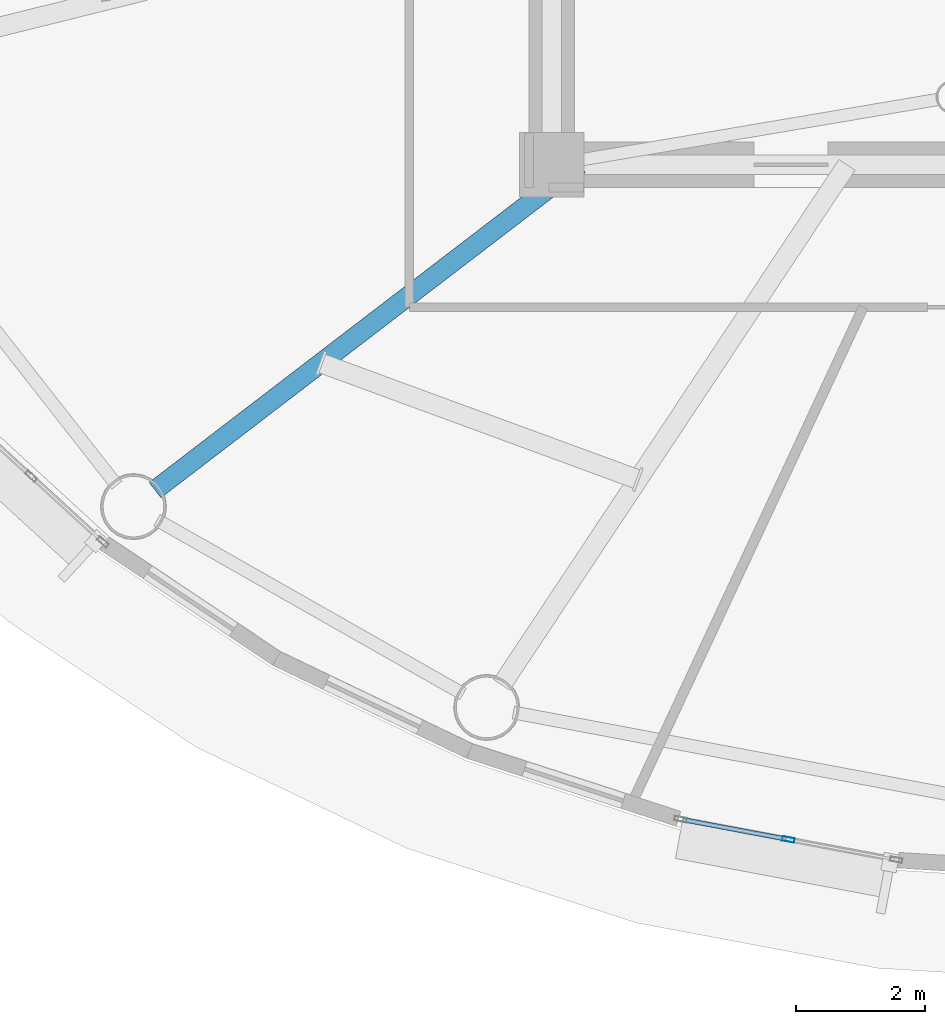
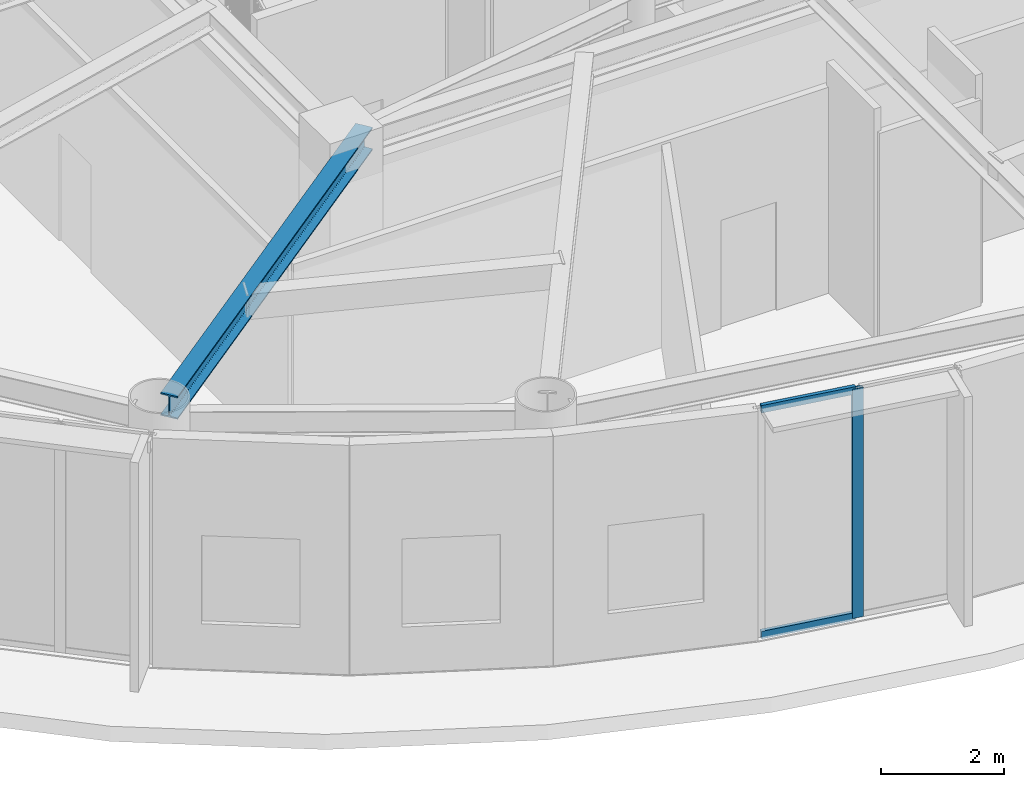
# One storey, part 6 of 32: 3 members, 1 beam, 1 element without a shape of its own.
"""IFC4 building model written with IfcOpenShell, lengths in metres."""

from ifc_helpers import new_model, si_unit, direction, frame, origin, origin_2d, place, context, subcontext, project, spatial, hollow_rectangle, i_section, extrude, source, transform, mapped, material, layer, layer_set, material_profile, profile_set, type_object, element, aggregate, save


model = new_model("IFC4")

# Units and contexts
model_context = context("Model", 3, precision=1e-05, world=origin(), true_north=direction((0.0, 1.0)))
body_context = subcontext(model_context, "Body", "Model", "MODEL_VIEW")
ifc_project = project(units=[si_unit("LENGTHUNIT", "METRE"), si_unit("AREAUNIT", "SQUARE_METRE"), si_unit("VOLUMEUNIT", "CUBIC_METRE"), si_unit("PLANEANGLEUNIT", "RADIAN"), si_unit("MASSUNIT", "GRAM", prefix="KILO")], contexts=[model_context])

# Site, building, storey
site_placement = place(None, origin())
site = spatial("IfcSite", under=ifc_project, at=site_placement, CompositionType="ELEMENT")
building_placement = place(site_placement, origin())
building = spatial("IfcBuilding", under=site, at=building_placement, Name="Linh Dai School and Residence Tower", CompositionType="ELEMENT")
storey_placement = place(building_placement, frame((0.0, 0.0, 268.199951171875)))
storey = spatial("IfcBuildingStorey", under=building, at=storey_placement, Name="L66", CompositionType="ELEMENT", Elevation=268.199951171875)

# Beam
ifc_material_1 = material(Name="Structural Steel S355JR", Category="steel")
ifc_material_profile_1 = material_profile(ifc_material_1, i_section(OverallWidth=0.300048828125, OverallDepth=0.449951171875, WebThickness=0.013916015625, FlangeThickness=0.02587890625, FilletRadius=0.027099609375, at=origin_2d()), Name="HEB 450")
ifc_profile_set_1 = profile_set([ifc_material_profile_1], Name="Structural Steel S355JR")
beam_type = type_object("IfcBeamType", Name="BM-RG45", PredefinedType="BEAM", material=ifc_profile_set_1)
beam_placement = place(storey_placement, frame((27.5810546875, 20.550048828125, 4.324951171875), z_axis=(-0.793802616583, -0.608175472956, 0.0), x_axis=(0.608175472956, -0.793802616583, 0.0)))
element("IfcBeam", 1, at=beam_placement, inside=storey, type_object=beam_type, Name="L66 Primary Radial Floor Girder 11", PredefinedType="BEAM", context=body_context, shape_type="SweptSolid", body=[
    extrude(i_section(OverallWidth=0.300048828125, OverallDepth=0.449951171875, WebThickness=0.013916015625, FlangeThickness=0.02587890625, FilletRadius=0.027099609375, at=origin_2d()), origin(), (0.0, 0.0, 1.0), 8.267578125),
])

# Curtain wall, members
ifc_material_2 = material(Name="Aluminium Anodised Curtain Wall", Category="aluminium")
ifc_layer = layer(ifc_material_2, 0.18994140625)
ifc_layer_set = layer_set([ifc_layer], Name="Aluminium Anodised Curtain Wall")
curtain_wall_type = type_object("IfcCurtainWallType", Name="CW-SYS-5", PredefinedType="USERDEFINED", material=ifc_layer_set)
curtain_wall_placement = place(storey_placement, origin())
curtain_wall = element("IfcCurtainWall", 2, at=curtain_wall_placement, inside=storey, type_object=curtain_wall_type, Name="L66 CW5 Curtain Wall 29", ObjectType="UNITISED CURTAIN WALL", PredefinedType="USERDEFINED")
ifc_material_3 = material(Name="Aluminium Alloy 6063-T6", Category="aluminium")
ifc_material_profile_2 = material_profile(ifc_material_3, hollow_rectangle(XDim=0.070068359375, YDim=0.18994140625, WallThickness=0.00390625, at=origin_2d()), Name="RHS 190x70x4")
ifc_profile_set_2 = profile_set([ifc_material_profile_2], Name="Aluminium Alloy 6063-T6")
member_type_1 = type_object("IfcMemberType", Name="CW-SYS-5-MUL", PredefinedType="MULLION", material=ifc_profile_set_2)
shared_shape_1 = source(origin(), body_context, "Body", "SweptSolid", [
    extrude(hollow_rectangle(XDim=0.070068359375, YDim=0.18994140625, WallThickness=0.00390625, at=origin_2d()), origin(), (0.0, 0.0, 1.0), 4.550048828125),
])
member_1_placement = place(storey_placement, frame((30.81005859375, 10.119873046875, 0.0), z_axis=(0.0, 0.0, 1.0), x_axis=(-0.184751197452, -0.982785325002, 0.0)))
member_1 = element("IfcMember", 3, at=member_1_placement, type_object=member_type_1, Name="CW5 mullion 2", PredefinedType="MULLION", context=body_context, shape_type="MappedRepresentation", body=[
    mapped(shared_shape_1, transform((0.0, 0.0, 0.0), x_axis=(1.0, 0.0, 0.0), y_axis=(0.0, 1.0, 0.0), z_axis=(0.0, 0.0, 1.0), scale=1.0)),
])
ifc_material_profile_3 = material_profile(ifc_material_3, hollow_rectangle(XDim=0.070068359375, YDim=0.14990234375, WallThickness=0.00390625, at=origin_2d()), Name="RHS 150x70x4")
ifc_profile_set_3 = profile_set([ifc_material_profile_3], Name="Aluminium Alloy 6063-T6")
member_type_2 = type_object("IfcMemberType", Name="CW-SYS-5-TRN", PredefinedType="USERDEFINED", material=ifc_profile_set_3)
shared_shape_2 = source(origin(), body_context, "Body", "SweptSolid", [
    extrude(hollow_rectangle(XDim=0.070068359375, YDim=0.14990234375, WallThickness=0.00390625, at=origin_2d()), origin(), (0.0, 0.0, 1.0), 1.6259765625),
])
member_2_placement = place(storey_placement, frame((30.775634765625, 10.126220703125, 0.03515625), z_axis=(-0.982768339, 0.184841531751, 0.0), x_axis=(-0.184841531751, -0.982768339, 0.0)))
member_2 = element("IfcMember", 4, at=member_2_placement, type_object=member_type_2, Name="CW5 transom 2.1", ObjectType="TRANSOM", PredefinedType="USERDEFINED", context=body_context, shape_type="MappedRepresentation", body=[
    mapped(shared_shape_2, transform((0.0, 0.0, 0.0), x_axis=(1.0, 0.0, 0.0), y_axis=(0.0, 1.0, 0.0), z_axis=(0.0, 0.0, 1.0), scale=1.0)),
])
member_3_placement = place(storey_placement, frame((30.775634765625, 10.126220703125, 4.51513671875), z_axis=(-0.982768339, 0.184841531751, 0.0), x_axis=(-0.184841531751, -0.982768339, 0.0)))
member_3 = element("IfcMember", 5, at=member_3_placement, type_object=member_type_2, Name="CW5 transom 2.2", ObjectType="TRANSOM", PredefinedType="USERDEFINED", context=body_context, shape_type="MappedRepresentation", body=[
    mapped(shared_shape_2, transform((0.0, 0.0, 0.0), x_axis=(1.0, 0.0, 0.0), y_axis=(0.0, 1.0, 0.0), z_axis=(0.0, 0.0, 1.0), scale=1.0)),
])
aggregate(curtain_wall, [member_1, member_2, member_3])

save(model, "model.ifc")
